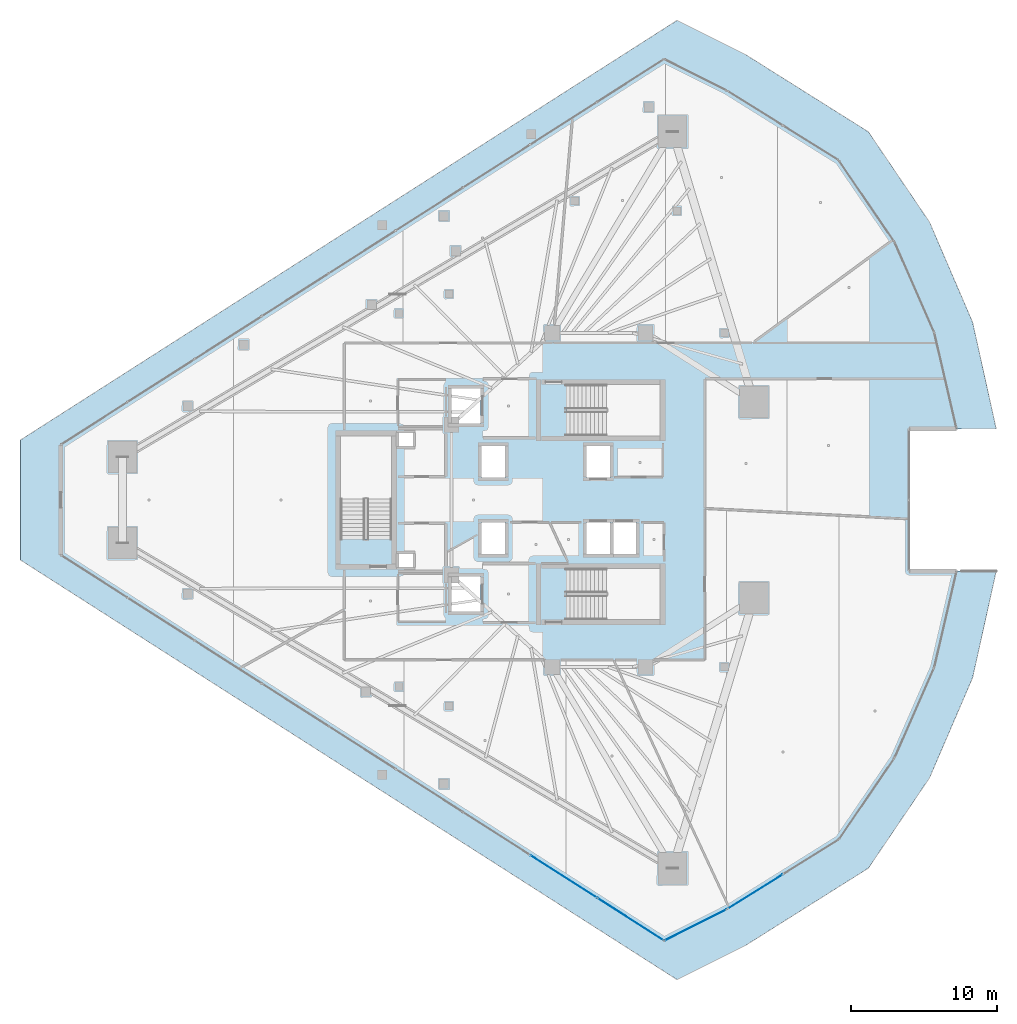
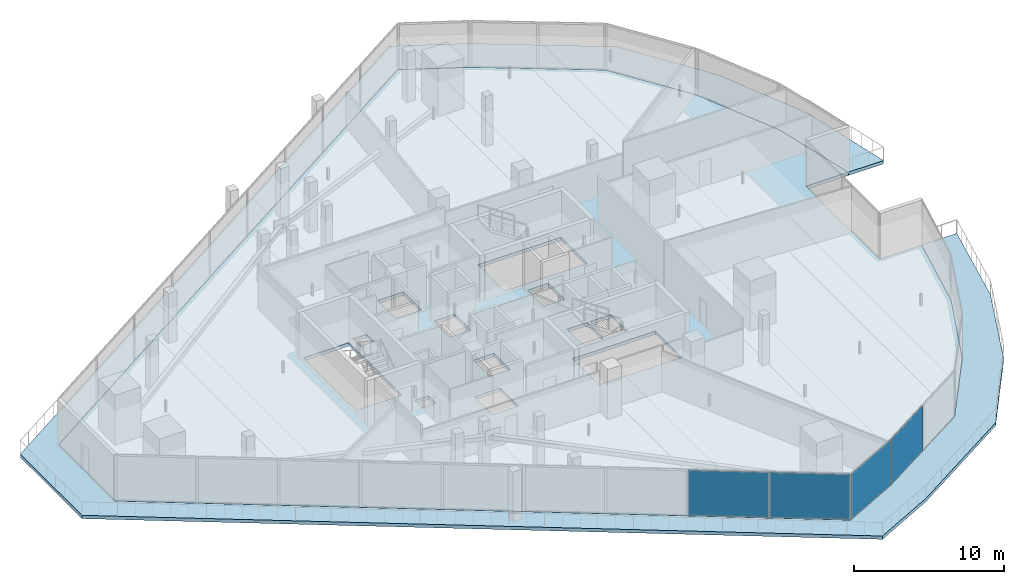
# One storey, part 26 of 40: 4 plates, 2 slabs, 3 elements without a shape of their own.
"""IFC4 building model written with IfcOpenShell, lengths in metres."""

from ifc_helpers import new_model, si_unit, direction, frame, origin, origin_2d, place, context, subcontext, project, spatial, polyline, rectangle, outline, extrude, material, layer, layer_set, type_object, element, aggregate, save


model = new_model("IFC4")

# Units and contexts
model_context = context("Model", 3, precision=1e-05, world=origin(), true_north=direction((0.0, 1.0)))
body_context = subcontext(model_context, "Body", "Model", "MODEL_VIEW")
ifc_project = project(units=[si_unit("LENGTHUNIT", "METRE"), si_unit("AREAUNIT", "SQUARE_METRE"), si_unit("VOLUMEUNIT", "CUBIC_METRE"), si_unit("PLANEANGLEUNIT", "RADIAN"), si_unit("MASSUNIT", "GRAM", prefix="KILO")], contexts=[model_context])

# Site, building, storey
site_placement = place(None, origin())
site = spatial("IfcSite", under=ifc_project, at=site_placement, CompositionType="ELEMENT")
building_placement = place(site_placement, origin())
building = spatial("IfcBuilding", under=site, at=building_placement, Name="Qorvath Tower", CompositionType="ELEMENT")
storey_placement = place(building_placement, frame((0.0, 0.0, 138.14990234375)))
storey = spatial("IfcBuildingStorey", under=building, at=storey_placement, Name="L31", CompositionType="ELEMENT", Elevation=138.14990234375)

# Curtain wall, plates
ifc_material_1 = material(Name="Anodised aluminium and triple low-E glass", Category="aluminium")
ifc_layer_1 = layer(ifc_material_1, 0.179931640625)
ifc_layer_set_1 = layer_set([ifc_layer_1], Name="CW-SYS-3")
curtain_wall_type = type_object("IfcCurtainWallType", Name="CW-SYS-3", PredefinedType="NOTDEFINED", material=ifc_layer_set_1)
curtain_wall_1_placement = place(storey_placement, origin())
curtain_wall_1 = element("IfcCurtainWall", 1, at=curtain_wall_1_placement, inside=storey, type_object=curtain_wall_type, Name="Curtain Wall CW-3 CW-T-L31-2.1", PredefinedType="NOTDEFINED")
ifc_material_2 = material(Name="Low-E triple insulated glass", Category="glass")
ifc_layer_2 = layer(ifc_material_2, 0.031982421875)
ifc_layer_set_2 = layer_set([ifc_layer_2], Name="CWP-GLZ-32")
plate_type = type_object("IfcPlateType", Name="CWP-GLZ-32", PredefinedType="CURTAIN_PANEL", material=ifc_layer_set_2)
plate_1_placement = place(storey_placement, frame((-22.823486328125, -25.80224609375, 0.06494140625), z_axis=(0.0, 0.0, 1.0), x_axis=(0.842603525385, -0.538534399095, 0.0)))
plate_1 = element("IfcPlate", 2, at=plate_1_placement, type_object=plate_type, Name="CW-3 panel 8.1", PredefinedType="CURTAIN_PANEL", context=body_context, shape_type="SweptSolid", body=[
    extrude(rectangle(XDim=5.388427734375, YDim=0.031982421875, at=origin_2d()), origin(), (0.0, 0.0, 1.0), 3.64990234375),
])
plate_2_placement = place(storey_placement, frame((-18.2421875, -28.730224609375, 0.06494140625), z_axis=(0.0, 0.0, 1.0), x_axis=(0.842603525385, -0.538534399095, 0.0)))
plate_2 = element("IfcPlate", 3, at=plate_2_placement, type_object=plate_type, Name="CW-3 panel 9.1", PredefinedType="CURTAIN_PANEL", context=body_context, shape_type="SweptSolid", body=[
    extrude(rectangle(XDim=5.35595703125, YDim=0.031982421875, at=origin_2d()), origin(), (0.0, 0.0, 1.0), 3.64990234375),
])
aggregate(curtain_wall_1, [plate_1, plate_2])

# Curtain wall, plate
curtain_wall_2_placement = place(storey_placement, origin())
curtain_wall_2 = element("IfcCurtainWall", 4, at=curtain_wall_2_placement, inside=storey, type_object=curtain_wall_type, Name="Curtain Wall CW-3 CW-T-L31-3.1", PredefinedType="NOTDEFINED")
plate_3_placement = place(storey_placement, frame((-13.773193359375, -29.128662109375, 0.06494140625), z_axis=(0.0, 0.0, 1.0), x_axis=(0.894427191001, 0.447213595499, 0.0)))
plate_3 = element("IfcPlate", 5, at=plate_3_placement, type_object=plate_type, Name="CW-3 panel 1.1", PredefinedType="CURTAIN_PANEL", context=body_context, shape_type="SweptSolid", body=[
    extrude(rectangle(XDim=4.69482421875, YDim=0.031982421875, at=origin_2d()), origin(), (0.0, 0.0, 1.0), 3.64990234375),
])
aggregate(curtain_wall_2, [plate_3])

curtain_wall_3_placement = place(storey_placement, origin())
curtain_wall_3 = element("IfcCurtainWall", 6, at=curtain_wall_3_placement, inside=storey, type_object=curtain_wall_type, Name="Curtain Wall CW-3 CW-T-L31-4.1", PredefinedType="NOTDEFINED")
plate_4_placement = place(storey_placement, frame((-9.6845703125, -26.8447265625, 0.06494140625), z_axis=(0.0, 0.0, 1.0), x_axis=(0.848347418258, 0.529439947431, 0.0)))
plate_4 = element("IfcPlate", 7, at=plate_4_placement, type_object=plate_type, Name="CW-3 panel 1.1", PredefinedType="CURTAIN_PANEL", context=body_context, shape_type="SweptSolid", body=[
    extrude(rectangle(XDim=4.421875, YDim=0.031982421875, at=origin_2d()), origin(), (0.0, 0.0, 1.0), 3.64990234375),
])
aggregate(curtain_wall_3, [plate_4])

# Slabs
ifc_material_3 = material(Name="Precast concrete C45/55", Category="concrete")
ifc_layer_3 = layer(ifc_material_3, 0.27001953125)
ifc_layer_set_3 = layer_set([ifc_layer_3], Name="SL-LOG-270")
slab_type_1 = type_object("IfcSlabType", Name="SL-LOG-270", PredefinedType="FLOOR", material=ifc_layer_set_3)
slab_1_placement = place(storey_placement, frame((0.0, 0.0, -0.27001953125)))
element("IfcSlab", 8, at=slab_1_placement, inside=storey, type_object=slab_type_1, Name="Tower L31 Perimeter Loggia and Terrace Slab", PredefinedType="FLOOR", context=body_context, shape_type="SweptSolid", body=[
    extrude(outline(polyline([(4.11767578125, -4.881591796875), (2.591796875, -11.4765625), (-0.1279296875, -17.67529296875), (-3.947265625, -23.26416015625), (-11.615478515625, -28.0498046875), (-15.930908203125, -30.20751953125), (-57.286376953125, -3.77587890625), (-57.286376953125, 3.77587890625), (-15.930908203125, 30.20751953125), (-11.615478515625, 28.0498046875), (-3.947265625, 23.26416015625), (-0.1279296875, 17.67529296875), (2.591796875, 11.4765625), (4.11767578125, 4.881591796875), (6.833984375, 4.881591796875), (5.218505859375, 12.180419921875), (2.26220703125, 19.046142578125), (-1.93017578125, 25.235107421875), (-10.3447265625, 30.527587890625), (-15.04150390625, 32.875732421875), (-60.050048828125, 4.109619140625), (-60.050048828125, -4.109619140625), (-15.04150390625, -32.875732421875), (-10.3447265625, -30.527587890625), (-1.93017578125, -25.235107421875), (2.26220703125, -19.046142578125), (5.218505859375, -12.180419921875), (6.833984375, -4.881591796875), (4.11767578125, -4.881591796875)])), origin(), (0.0, 0.0, 1.0), 0.27001953125),
])
ifc_material_4 = material(Name="Concrete C45/55", Category="concrete")
ifc_layer_4 = layer(ifc_material_4, 0.27001953125)
ifc_layer_set_4 = layer_set([ifc_layer_4], Name="SL-MID-270")
slab_type_2 = type_object("IfcSlabType", Name="SL-MID-270", PredefinedType="FLOOR", material=ifc_layer_set_4)
slab_2_placement = place(storey_placement, frame((0.0, 0.0, -0.27001953125)))
element("IfcSlab", 9, at=slab_2_placement, inside=storey, type_object=slab_type_2, Name="Tower L31 Interior Floor Slab", PredefinedType="FLOOR", context=body_context, shape_type="SweptSolid", body=[
    extrude(outline(polyline([(-57.286376953125, 3.77587890625), (-57.286376953125, -3.77587890625), (-15.930908203125, -30.20751953125), (-11.615478515625, -28.0498046875), (-3.947265625, -23.26416015625), (-0.1279296875, -17.67529296875), (2.591796875, -11.4765625), (4.11767578125, -4.881591796875), (0.86328125, -4.881591796875), (0.86328125, 4.881591796875), (4.11767578125, 4.881591796875), (2.591796875, 11.4765625), (-0.1279296875, 17.67529296875), (-3.947265625, 23.26416015625), (-11.615478515625, 28.0498046875), (-15.930908203125, 30.20751953125), (-57.286376953125, 3.77587890625)]), holes=[polyline([(-16.2451171875, -8.199951171875), (-22.625, -8.199951171875), (-22.625, -4.68994140625), (-16.2451171875, -4.68994140625), (-16.2451171875, -8.199951171875)]), polyline([(-22.625, 4.39990234375), (-22.625, 7.909912109375), (-16.2451171875, 7.909912109375), (-16.2451171875, 4.39990234375), (-22.625, 4.39990234375)]), polyline([(-17.85009765625, -3.699951171875), (-19.449951171875, -3.699951171875), (-19.449951171875, -1.550048828125), (-17.85009765625, -1.550048828125), (-17.85009765625, -3.699951171875)]), polyline([(-21.25, -3.699951171875), (-21.25, -1.550048828125), (-19.64990234375, -1.550048828125), (-19.64990234375, -3.699951171875), (-21.25, -3.699951171875)]), polyline([(-21.25, 1.550048828125), (-21.25, 3.699951171875), (-19.64990234375, 3.699951171875), (-19.64990234375, 1.550048828125), (-21.25, 1.550048828125)]), polyline([(-28.449951171875, -3.699951171875), (-28.449951171875, -1.550048828125), (-26.85009765625, -1.550048828125), (-26.85009765625, -3.699951171875), (-28.449951171875, -3.699951171875)]), polyline([(-26.85009765625, 1.550048828125), (-28.449951171875, 1.550048828125), (-28.449951171875, 3.699951171875), (-26.85009765625, 3.699951171875), (-26.85009765625, 1.550048828125)]), polyline([(-28.5, -7.64990234375), (-30.5, -7.64990234375), (-30.5, -5.25), (-28.5, -5.25), (-28.5, -7.64990234375)]), polyline([(-30.5, 5.25), (-30.5, 7.64990234375), (-28.5, 7.64990234375), (-28.5, 5.25), (-30.5, 5.25)]), polyline([(-34.14990234375, -4.6201171875), (-34.14990234375, -3.64990234375), (-33.10009765625, -3.64990234375), (-33.10009765625, -4.6201171875), (-34.14990234375, -4.6201171875)]), polyline([(-34.14990234375, 3.64990234375), (-34.14990234375, 4.6201171875), (-33.10009765625, 4.6201171875), (-33.10009765625, 3.64990234375), (-34.14990234375, 3.64990234375)]), polyline([(-34.60009765625, -2.675048828125), (-38.110107421875, -2.675048828125), (-38.110107421875, 4.35498046875), (-34.60009765625, 4.35498046875), (-34.60009765625, -2.675048828125)])]), origin(), (0.0, 0.0, 1.0), 0.27001953125),
])

save(model, "model.ifc")
